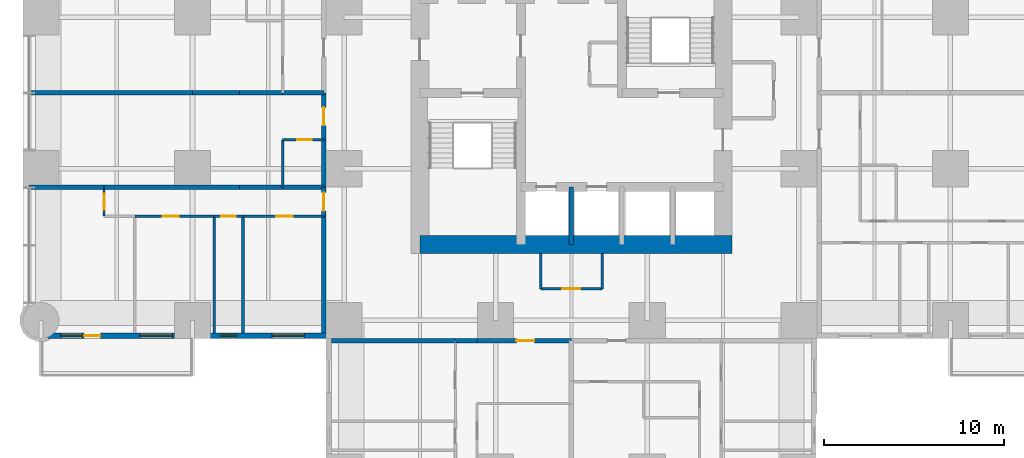
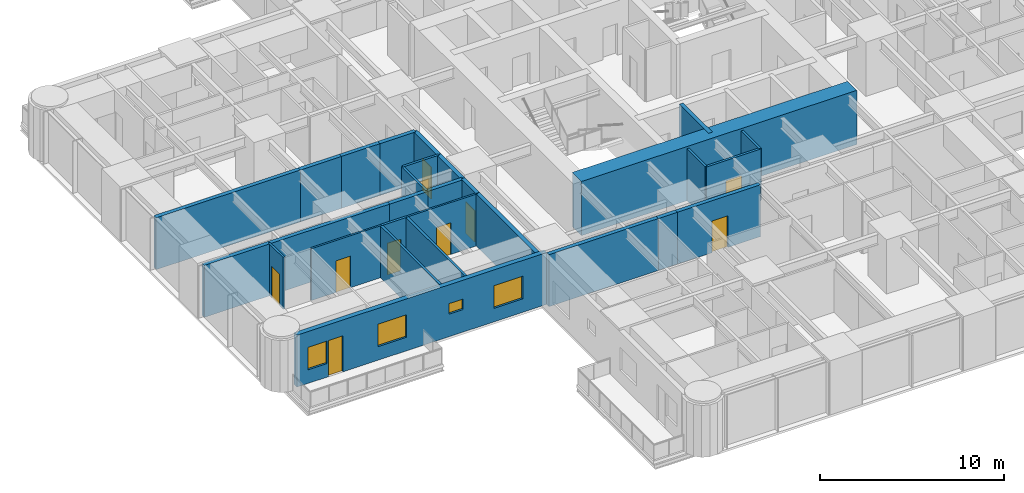
# One storey, part 8 of 17: 29 walls, 10 doors, 4 windows, 14 openings.
"""IFC4 building model written with IfcOpenShell, lengths in metres."""

from ifc_helpers import new_model, si_unit, direction, frame, frame_2d, origin, place, context, subcontext, project, spatial, rectangle, extrude, material, layer, layer_set, type_object, element, fill, save


model = new_model("IFC4")

# Units and contexts
model_context = context("Model", 3, precision=1e-05, world=origin(), true_north=direction((0.0, 1.0)))
body_context = subcontext(model_context, "Body", "Model", "MODEL_VIEW")
ifc_project = project(units=[si_unit("LENGTHUNIT", "METRE"), si_unit("AREAUNIT", "SQUARE_METRE"), si_unit("VOLUMEUNIT", "CUBIC_METRE"), si_unit("PLANEANGLEUNIT", "RADIAN"), si_unit("MASSUNIT", "GRAM", prefix="KILO")], contexts=[model_context])

# Site, building, storey
site_placement = place(None, origin())
site = spatial("IfcSite", under=ifc_project, at=site_placement, CompositionType="ELEMENT")
building_placement = place(site_placement, origin())
building = spatial("IfcBuilding", under=site, at=building_placement, Name="Torre Alcanfor", CompositionType="ELEMENT")
storey_placement = place(building_placement, frame((0.0, 0.0, 95.699951171875)))
storey = spatial("IfcBuildingStorey", under=building, at=storey_placement, Name="L24", CompositionType="ELEMENT", Elevation=95.699951171875)

# Wall, opening, door
ifc_material_1 = material(Name="Concrete block masonry, hollow blocks NMX-C-404 9 MPa", Category="masonry")
ifc_layer_1 = layer(ifc_material_1, 0.25)
ifc_layer_set_1 = layer_set([ifc_layer_1], Name="Apartment entrance wall 250 EI 60")
wall_type_1 = type_object("IfcWallType", Name="Apartment entrance wall 250 EI 60", PredefinedType="PARTITIONING", material=ifc_layer_set_1)
wall_1_placement = place(storey_placement, frame((29.39990234375, 15.675048828125, 0.0), z_axis=(0.0, 0.0, 1.0), x_axis=(-1.0, 0.0, 0.0)))
wall_1 = element("IfcWall", 1, at=wall_1_placement, inside=storey, type_object=wall_type_1, Name="Partition L24-CORR / L24-S2-ZAG", PredefinedType="PARTITIONING", context=body_context, shape_type="SweptSolid", body=[
    extrude(rectangle(XDim=5.22900390625, YDim=0.25, at=frame_2d((2.614501953125, 0.0))), origin(), (0.0, 0.0, 1.0), 3.449951171875),
])
opening_1_placement = place(wall_1_placement, frame((2.050048828125, 0.0, 0.0)))
opening_1 = element("IfcOpeningElement", 2, at=opening_1_placement, cuts=wall_1, Name="Opening D-A1", PredefinedType="OPENING", context=body_context, shape_type="SweptSolid", body=[
    extrude(rectangle(XDim=1.0, YDim=2.10009765625, at=frame_2d((0.5, 1.050048828125))), frame((0.0, 0.135009765625, 0.0), z_axis=(0.0, -1.0, 0.0), x_axis=(1.0, 0.0, 0.0)), (0.0, 0.0, 1.0), 0.27001953125),
])
ifc_material_2 = material(Name="Galvanised steel sheet ASTM A653", Category="steel")
door_type_1 = type_object("IfcDoorType", Name="Apartment entrance door FD60 1000x2100", OperationType="SINGLE_SWING_LEFT", PredefinedType="DOOR", material=ifc_material_2)
door_1_placement = place(opening_1_placement, origin())
door_1 = element("IfcDoor", 3, at=door_1_placement, inside=storey, type_object=door_type_1, Name="Apartment entrance L24-S2", OperationType="SINGLE_SWING_LEFT", OverallHeight=2.10009765625, OverallWidth=1.0, PredefinedType="DOOR", context=body_context, shape_type="SweptSolid", body=[
    extrude(rectangle(XDim=1.0, YDim=2.10009765625, at=frame_2d((0.5, 1.050048828125))), frame((0.0, 0.02490234375, 0.0), z_axis=(0.0, -1.0, 0.0), x_axis=(1.0, 0.0, 0.0)), (0.0, 0.0, 1.0), 0.050048828125),
])
fill(opening_1, door_1)

# Walls
wall_2_placement = place(storey_placement, frame((24.1708984375, 15.675048828125, 0.0), z_axis=(0.0, 0.0, 1.0), x_axis=(-1.0, 0.0, 0.0)))
element("IfcWall", 4, at=wall_2_placement, inside=storey, type_object=wall_type_1, Name="Partition L24-CORR / L24-S2-HALL", PredefinedType="PARTITIONING", context=body_context, shape_type="SweptSolid", body=[
    extrude(rectangle(XDim=1.199951171875, YDim=0.25, at=frame_2d((0.60009765625, 0.0))), origin(), (0.0, 0.0, 1.0), 3.449951171875),
])
wall_3_placement = place(storey_placement, frame((22.970947265625, 15.675048828125, 0.0), z_axis=(0.0, 0.0, 1.0), x_axis=(-1.0, 0.0, 0.0)))
element("IfcWall", 5, at=wall_3_placement, inside=storey, type_object=wall_type_1, Name="Partition L24-CORR / L24-S2-BED2", PredefinedType="PARTITIONING", context=body_context, shape_type="SweptSolid", body=[
    extrude(rectangle(XDim=6.870849609375, YDim=0.25, at=frame_2d((3.435546875, 0.0))), origin(), (0.0, 0.0, 1.0), 3.449951171875),
])

# Wall, opening, door
wall_4_placement = place(storey_placement, frame((15.675048828125, 26.800048828125, 0.0), z_axis=(0.0, 0.0, 1.0), x_axis=(0.0, 1.0, 0.0)))
wall_4 = element("IfcWall", 6, at=wall_4_placement, inside=storey, type_object=wall_type_1, Name="Partition L24-CORR / L24-W1A-FOYER", PredefinedType="PARTITIONING", context=body_context, shape_type="SweptSolid", body=[
    extrude(rectangle(XDim=2.599853515625, YDim=0.25, at=frame_2d((1.2998046875, 0.0))), origin(), (0.0, 0.0, 1.0), 3.449951171875),
])
opening_2_placement = place(wall_4_placement, frame((0.800048828125, 0.0, 0.0)))
opening_2 = element("IfcOpeningElement", 7, at=opening_2_placement, cuts=wall_4, Name="Opening D-A1", PredefinedType="OPENING", context=body_context, shape_type="SweptSolid", body=[
    extrude(rectangle(XDim=1.0, YDim=2.10009765625, at=frame_2d((0.5, 1.050048828125))), frame((0.0, 0.135009765625, 0.0), z_axis=(0.0, -1.0, 0.0), x_axis=(1.0, 0.0, 0.0)), (0.0, 0.0, 1.0), 0.27001953125),
])
door_2_placement = place(opening_2_placement, origin())
door_2 = element("IfcDoor", 8, at=door_2_placement, inside=storey, type_object=door_type_1, Name="Apartment entrance L24-W1A", OperationType="SINGLE_SWING_LEFT", OverallHeight=2.10009765625, OverallWidth=1.0, PredefinedType="DOOR", context=body_context, shape_type="SweptSolid", body=[
    extrude(rectangle(XDim=1.0, YDim=2.10009765625, at=frame_2d((0.5, 1.050048828125))), frame((0.0, 0.02490234375, 0.0), z_axis=(0.0, -1.0, 0.0), x_axis=(1.0, 0.0, 0.0)), (0.0, 0.0, 1.0), 0.050048828125),
])
fill(opening_2, door_2)

# Wall
wall_5_placement = place(storey_placement, frame((15.675048828125, 24.1708984375, 0.0), z_axis=(0.0, 0.0, 1.0), x_axis=(0.0, 1.0, 0.0)))
element("IfcWall", 9, at=wall_5_placement, inside=storey, type_object=wall_type_1, Name="Partition L24-CORR / L24-W1A-BATH", PredefinedType="PARTITIONING", context=body_context, shape_type="SweptSolid", body=[
    extrude(rectangle(XDim=2.629150390625, YDim=0.25, at=frame_2d((1.314453125, 0.0))), origin(), (0.0, 0.0, 1.0), 3.449951171875),
])

# Wall, opening, door
wall_6_placement = place(storey_placement, frame((15.675048828125, 22.571044921875, 0.0), z_axis=(0.0, 0.0, 1.0), x_axis=(0.0, 1.0, 0.0)))
wall_6 = element("IfcWall", 10, at=wall_6_placement, inside=storey, type_object=wall_type_1, Name="Partition L24-CORR / L24-W1B-HALL", PredefinedType="PARTITIONING", context=body_context, shape_type="SweptSolid", body=[
    extrude(rectangle(XDim=1.599853515625, YDim=0.25, at=frame_2d((0.7998046875, 0.0))), origin(), (0.0, 0.0, 1.0), 3.449951171875),
])
opening_3_placement = place(wall_6_placement, frame((0.300048828125, 0.0, 0.0)))
opening_3 = element("IfcOpeningElement", 11, at=opening_3_placement, cuts=wall_6, Name="Opening D-A1", PredefinedType="OPENING", context=body_context, shape_type="SweptSolid", body=[
    extrude(rectangle(XDim=1.0, YDim=2.10009765625, at=frame_2d((0.5, 1.050048828125))), frame((0.0, 0.135009765625, 0.0), z_axis=(0.0, -1.0, 0.0), x_axis=(1.0, 0.0, 0.0)), (0.0, 0.0, 1.0), 0.27001953125),
])
door_3_placement = place(opening_3_placement, origin())
door_3 = element("IfcDoor", 12, at=door_3_placement, inside=storey, type_object=door_type_1, Name="Apartment entrance L24-W1B", OperationType="SINGLE_SWING_LEFT", OverallHeight=2.10009765625, OverallWidth=1.0, PredefinedType="DOOR", context=body_context, shape_type="SweptSolid", body=[
    extrude(rectangle(XDim=1.0, YDim=2.10009765625, at=frame_2d((0.5, 1.050048828125))), frame((0.0, 0.02490234375, 0.0), z_axis=(0.0, -1.0, 0.0), x_axis=(1.0, 0.0, 0.0)), (0.0, 0.0, 1.0), 0.050048828125),
])
fill(opening_3, door_3)

# Wall
wall_7_placement = place(storey_placement, frame((15.675048828125, 16.10009765625, 0.0), z_axis=(0.0, 0.0, 1.0), x_axis=(0.0, 1.0, 0.0)))
element("IfcWall", 13, at=wall_7_placement, inside=storey, type_object=wall_type_1, Name="Partition L24-CORR / L24-W1B-MASTER", PredefinedType="PARTITIONING", context=body_context, shape_type="SweptSolid", body=[
    extrude(rectangle(XDim=6.470947265625, YDim=0.25, at=frame_2d((3.2353515625, 0.0))), origin(), (0.0, 0.0, 1.0), 3.449951171875),
])

# Wall, opening, door
ifc_material_3 = material(Name="Gypsum board on steel studs", Category="steel")
ifc_layer_2 = layer(ifc_material_3, 0.1201171875)
ifc_layer_set_2 = layer_set([ifc_layer_2], Name="Apartment partition 120")
wall_type_2 = type_object("IfcWallType", Name="Apartment partition 120", PredefinedType="PARTITIONING", material=ifc_layer_set_2)
wall_8_placement = place(storey_placement, frame((11.199951171875, 22.571044921875, 0.0), z_axis=(0.0, 0.0, 1.0), x_axis=(1.0, 0.0, 0.0)))
wall_8 = element("IfcWall", 14, at=wall_8_placement, inside=storey, type_object=wall_type_2, Name="Partition L24-W1B-HALL / L24-W1B-MASTER", PredefinedType="PARTITIONING", context=body_context, shape_type="SweptSolid", body=[
    extrude(rectangle(XDim=4.47509765625, YDim=0.1201171875, at=frame_2d((2.237548828125, 0.0))), origin(), (0.0, 0.0, 1.0), 3.449951171875),
])
opening_4_placement = place(wall_8_placement, frame((1.85009765625, 0.0, 0.0)))
opening_4 = element("IfcOpeningElement", 15, at=opening_4_placement, cuts=wall_8, Name="Opening D-R1", PredefinedType="OPENING", context=body_context, shape_type="SweptSolid", body=[
    extrude(rectangle(XDim=0.89990234375, YDim=2.10009765625, at=frame_2d((0.449951171875, 1.050048828125))), frame((0.0, 0.070068359375, 0.0), z_axis=(0.0, -1.0, 0.0), x_axis=(1.0, 0.0, 0.0)), (0.0, 0.0, 1.0), 0.14013671875),
])
ifc_material_4 = material(Name="Timber", Category="wood")
door_type_2 = type_object("IfcDoorType", Name="Internal door 900x2100", OperationType="SINGLE_SWING_LEFT", PredefinedType="DOOR", material=ifc_material_4)
door_4_placement = place(opening_4_placement, frame((0.89990234375, 0.0, 0.0), z_axis=(0.0, 0.0, 1.0), x_axis=(-1.0, 0.0, 0.0)))
door_4 = element("IfcDoor", 16, at=door_4_placement, inside=storey, type_object=door_type_2, Name="Door L24-W1B master", OperationType="SINGLE_SWING_LEFT", OverallHeight=2.10009765625, OverallWidth=0.89990234375, PredefinedType="DOOR", context=body_context, shape_type="SweptSolid", body=[
    extrude(rectangle(XDim=0.89990234375, YDim=2.10009765625, at=frame_2d((0.449951171875, 1.050048828125))), frame((0.0, 0.025146484375, 0.0), z_axis=(0.0, -1.0, 0.0), x_axis=(1.0, 0.0, 0.0)), (0.0, 0.0, 1.0), 0.050048828125),
])
fill(opening_4, door_4)

wall_9_placement = place(storey_placement, frame((5.199951171875, 22.571044921875, 0.0), z_axis=(0.0, 0.0, 1.0), x_axis=(1.0, 0.0, 0.0)))
wall_9 = element("IfcWall", 17, at=wall_9_placement, inside=storey, type_object=wall_type_2, Name="Partition L24-W1B-HALL / L24-W1B-STUDY", PredefinedType="PARTITIONING", context=body_context, shape_type="SweptSolid", body=[
    extrude(rectangle(XDim=4.400146484375, YDim=0.1201171875, at=frame_2d((2.2001953125, 0.0))), origin(), (0.0, 0.0, 1.0), 3.449951171875),
])
opening_5_placement = place(wall_9_placement, frame((1.550048828125, 0.0, 0.0)))
opening_5 = element("IfcOpeningElement", 18, at=opening_5_placement, cuts=wall_9, Name="Opening D-R1", PredefinedType="OPENING", context=body_context, shape_type="SweptSolid", body=[
    extrude(rectangle(XDim=0.89990234375, YDim=2.10009765625, at=frame_2d((0.449951171875, 1.050048828125))), frame((0.0, 0.070068359375, 0.0), z_axis=(0.0, -1.0, 0.0), x_axis=(1.0, 0.0, 0.0)), (0.0, 0.0, 1.0), 0.14013671875),
])
door_5_placement = place(opening_5_placement, frame((0.89990234375, 0.0, 0.0), z_axis=(0.0, 0.0, 1.0), x_axis=(-1.0, 0.0, 0.0)))
door_5 = element("IfcDoor", 19, at=door_5_placement, inside=storey, type_object=door_type_2, Name="Door L24-W1B study", OperationType="SINGLE_SWING_RIGHT", OverallHeight=2.10009765625, OverallWidth=0.89990234375, PredefinedType="DOOR", context=body_context, shape_type="SweptSolid", body=[
    extrude(rectangle(XDim=0.89990234375, YDim=2.10009765625, at=frame_2d((0.449951171875, 1.050048828125))), frame((0.0, 0.025146484375, 0.0), z_axis=(0.0, -1.0, 0.0), x_axis=(1.0, 0.0, 0.0)), (0.0, 0.0, 1.0), 0.050048828125),
])
fill(opening_5, door_5)

wall_10_placement = place(storey_placement, frame((3.5, 24.1708984375, 0.0), z_axis=(0.0, 0.0, 1.0), x_axis=(0.0, -1.0, 0.0)))
wall_10 = element("IfcWall", 20, at=wall_10_placement, inside=storey, type_object=wall_type_2, Name="Partition L24-W1B-HALL / L24-W1B-LIVING", PredefinedType="PARTITIONING", context=body_context, shape_type="SweptSolid", body=[
    extrude(rectangle(XDim=1.599853515625, YDim=0.1201171875, at=frame_2d((0.7998046875, 0.0))), origin(), (0.0, 0.0, 1.0), 3.449951171875),
])
opening_6_placement = place(wall_10_placement, frame((0.35009765625, 0.0, 0.0)))
opening_6 = element("IfcOpeningElement", 21, at=opening_6_placement, cuts=wall_10, Name="Opening D-R1", PredefinedType="OPENING", context=body_context, shape_type="SweptSolid", body=[
    extrude(rectangle(XDim=0.89990234375, YDim=2.10009765625, at=frame_2d((0.449951171875, 1.050048828125))), frame((0.0, 0.070068359375, 0.0), z_axis=(0.0, -1.0, 0.0), x_axis=(1.0, 0.0, 0.0)), (0.0, 0.0, 1.0), 0.14013671875),
])
door_6_placement = place(opening_6_placement, frame((0.89990234375, 0.0, 0.0), z_axis=(0.0, 0.0, 1.0), x_axis=(-1.0, 0.0, 0.0)))
door_6 = element("IfcDoor", 22, at=door_6_placement, inside=storey, type_object=door_type_2, Name="Door L24-W1B living", OperationType="SINGLE_SWING_RIGHT", OverallHeight=2.10009765625, OverallWidth=0.89990234375, PredefinedType="DOOR", context=body_context, shape_type="SweptSolid", body=[
    extrude(rectangle(XDim=0.89990234375, YDim=2.10009765625, at=frame_2d((0.449951171875, 1.050048828125))), frame((0.0, 0.025146484375, 0.0), z_axis=(0.0, -1.0, 0.0), x_axis=(1.0, 0.0, 0.0)), (0.0, 0.0, 1.0), 0.050048828125),
])
fill(opening_6, door_6)

# Walls
ifc_material_5 = material(Name="Concrete f'c 70 MPa", Category="concrete")
ifc_layer_3 = layer(ifc_material_5, 0.25)
ifc_layer_set_3 = layer_set([ifc_layer_3], Name="Core shaft wall 250 f'c70")
wall_type_3 = type_object("IfcWallType", Name="Core shaft wall 250 f'c70", PredefinedType="SHEAR", material=ifc_layer_set_3)
wall_11_placement = place(storey_placement, frame((29.39990234375, 21.0, 0.0), z_axis=(0.0, 0.0, 1.0), x_axis=(0.0, 1.0, 0.0)))
element("IfcWall", 23, at=wall_11_placement, inside=storey, type_object=wall_type_3, Name="Core wall X294S L24", PredefinedType="SHEAR", context=body_context, shape_type="SweptSolid", body=[
    extrude(rectangle(XDim=3.199951171875, YDim=0.25, at=frame_2d((1.60009765625, 0.0))), origin(), (0.0, 0.0, 1.0), 3.60009765625),
])
ifc_material_6 = material(Name="Concrete f'c 70 MPa", Category="concrete")
ifc_layer_4 = layer(ifc_material_6, 1.0)
ifc_layer_set_4 = layer_set([ifc_layer_4], Name="Core wall 1000 f'c70")
wall_type_4 = type_object("IfcWallType", Name="Core wall 1000 f'c70", PredefinedType="SHEAR", material=ifc_layer_set_4)
wall_12_placement = place(storey_placement, frame((21.0, 21.0, 0.0), z_axis=(0.0, 0.0, 1.0), x_axis=(1.0, 0.0, 0.0)))
element("IfcWall", 24, at=wall_12_placement, inside=storey, type_object=wall_type_4, Name="Core wall OUT-S L24", PredefinedType="SHEAR", context=body_context, shape_type="SweptSolid", body=[
    extrude(rectangle(XDim=17.300048828125, YDim=1.0, at=frame_2d((8.64990234375, 0.0))), origin(), (0.0, 0.0, 1.0), 3.60009765625),
])

# Wall, openings, door, windows
ifc_material_7 = material(Name="Limestone cladding", Category="masonry")
ifc_layer_5 = layer(ifc_material_7, 0.0400390625, Name="Facing")
ifc_material_8 = material(Name="Ventilated air cavity")
ifc_layer_6 = layer(ifc_material_8, 0.02001953125, ventilated=True, Name="Ventilated joint")
ifc_material_9 = material(Name="Mineral wool insulation", Category="insulation")
ifc_layer_7 = layer(ifc_material_9, 0.10009765625, Name="Insulation")
ifc_material_10 = material(Name="Concrete f'c 35 MPa", Category="concrete")
ifc_layer_8 = layer(ifc_material_10, 0.139892578125, Name="Backing")
ifc_layer_set_5 = layer_set([ifc_layer_5, ifc_layer_6, ifc_layer_7, ifc_layer_8], Name="External wall stone-clad 300")
wall_type_5 = type_object("IfcWallType", Name="External wall stone-clad 300", PredefinedType="SOLIDWALL", material=ifc_layer_set_5)
wall_13_placement = place(storey_placement, frame((0.39990234375, 15.949951171875, 0.0), z_axis=(0.0, 0.0, 1.0), x_axis=(1.0, 0.0, 0.0)))
wall_13 = element("IfcWall", 25, at=wall_13_placement, inside=storey, type_object=wall_type_5, Name="External wall L24 3", PredefinedType="SOLIDWALL", context=body_context, shape_type="SweptSolid", body=[
    extrude(rectangle(XDim=15.7001953125, YDim=0.300048828125, at=frame_2d((7.85009765625, 0.0))), origin(), (0.0, 0.0, 1.0), 3.449951171875),
])
opening_7_placement = place(wall_13_placement, frame((12.39990234375, 0.0, 0.89990234375)))
opening_7 = element("IfcOpeningElement", 26, at=opening_7_placement, cuts=wall_13, Name="Opening W2", PredefinedType="OPENING", context=body_context, shape_type="SweptSolid", body=[
    extrude(rectangle(XDim=1.800048828125, YDim=1.5, at=frame_2d((0.89990234375, 0.75))), frame((0.0, 0.159912109375, 0.0), z_axis=(0.0, -1.0, 0.0), x_axis=(1.0, 0.0, 0.0)), (0.0, 0.0, 1.0), 0.320068359375),
])
opening_8_placement = place(wall_13_placement, frame((9.550048828125, 0.0, 1.5)))
opening_8 = element("IfcOpeningElement", 27, at=opening_8_placement, cuts=wall_13, Name="Opening W3", PredefinedType="OPENING", context=body_context, shape_type="SweptSolid", body=[
    extrude(rectangle(XDim=0.89990234375, YDim=0.699951171875, at=frame_2d((0.449951171875, 0.35009765625))), frame((0.0, 0.159912109375, 0.0), z_axis=(0.0, -1.0, 0.0), x_axis=(1.0, 0.0, 0.0)), (0.0, 0.0, 1.0), 0.320068359375),
])
opening_9_placement = place(wall_13_placement, frame((5.10009765625, 0.0, 0.89990234375)))
opening_9 = element("IfcOpeningElement", 28, at=opening_9_placement, cuts=wall_13, Name="Opening W2", PredefinedType="OPENING", context=body_context, shape_type="SweptSolid", body=[
    extrude(rectangle(XDim=1.800048828125, YDim=1.5, at=frame_2d((0.89990234375, 0.75))), frame((0.0, 0.159912109375, 0.0), z_axis=(0.0, -1.0, 0.0), x_axis=(1.0, 0.0, 0.0)), (0.0, 0.0, 1.0), 0.320068359375),
])
opening_10_placement = place(wall_13_placement, frame((2.0, 0.0, 0.0)))
opening_10 = element("IfcOpeningElement", 29, at=opening_10_placement, cuts=wall_13, Name="Opening D-B1", PredefinedType="OPENING", context=body_context, shape_type="SweptSolid", body=[
    extrude(rectangle(XDim=0.89990234375, YDim=2.39990234375, at=frame_2d((0.449951171875, 1.199951171875))), frame((0.0, 0.159912109375, 0.0), z_axis=(0.0, -1.0, 0.0), x_axis=(1.0, 0.0, 0.0)), (0.0, 0.0, 1.0), 0.320068359375),
])
opening_11_placement = place(wall_13_placement, frame((0.699951171875, 0.0, 0.89990234375)))
opening_11 = element("IfcOpeningElement", 30, at=opening_11_placement, cuts=wall_13, Name="Opening W4", PredefinedType="OPENING", context=body_context, shape_type="SweptSolid", body=[
    extrude(rectangle(XDim=1.199951171875, YDim=1.5, at=frame_2d((0.60009765625, 0.75))), frame((0.0, 0.159912109375, 0.0), z_axis=(0.0, -1.0, 0.0), x_axis=(1.0, 0.0, 0.0)), (0.0, 0.0, 1.0), 0.320068359375),
])
ifc_material_11 = material(Name="Aluminium and glass", Category="aluminium")
door_type_3 = type_object("IfcDoorType", Name="Balcony door glazed 900x2400", OperationType="SINGLE_SWING_LEFT", PredefinedType="DOOR", material=ifc_material_11)
door_7_placement = place(opening_10_placement, origin())
door_7 = element("IfcDoor", 31, at=door_7_placement, inside=storey, type_object=door_type_3, Name="Balcony door L24-W1", OperationType="SINGLE_SWING_RIGHT", OverallHeight=2.39990234375, OverallWidth=0.89990234375, PredefinedType="DOOR", context=body_context, shape_type="SweptSolid", body=[
    extrude(rectangle(XDim=0.89990234375, YDim=2.39990234375, at=frame_2d((0.449951171875, 1.199951171875))), frame((0.0, 0.02490234375, 0.0), z_axis=(0.0, -1.0, 0.0), x_axis=(1.0, 0.0, 0.0)), (0.0, 0.0, 1.0), 0.050048828125),
])
fill(opening_10, door_7)
ifc_material_12 = material(Name="Aluminium frame with clear double glazing", Category="aluminium")
window_type_1 = type_object("IfcWindowType", Name="Window bathroom 900x700", PartitioningType="SINGLE_PANEL", PredefinedType="WINDOW", material=ifc_material_12)
window_1_placement = place(opening_8_placement, origin())
window_1 = element("IfcWindow", 32, at=window_1_placement, inside=storey, type_object=window_type_1, Name="Window W3 L24-W1", OverallHeight=0.699951171875, OverallWidth=0.89990234375, PartitioningType="SINGLE_PANEL", PredefinedType="WINDOW", context=body_context, shape_type="SweptSolid", body=[
    extrude(rectangle(XDim=0.89990234375, YDim=0.699951171875, at=frame_2d((0.449951171875, 0.35009765625))), frame((0.0, 0.030029296875, 0.0), z_axis=(0.0, -1.0, 0.0), x_axis=(1.0, 0.0, 0.0)), (0.0, 0.0, 1.0), 0.06005859375),
])
fill(opening_8, window_1)
ifc_material_13 = material(Name="Aluminium frame with clear double glazing", Category="aluminium")
window_type_2 = type_object("IfcWindowType", Name="Window bedroom 1200x1500", PartitioningType="SINGLE_PANEL", PredefinedType="WINDOW", material=ifc_material_13)
window_2_placement = place(opening_11_placement, origin())
window_2 = element("IfcWindow", 33, at=window_2_placement, inside=storey, type_object=window_type_2, Name="Window W4 L24-W1", OverallHeight=1.5, OverallWidth=1.199951171875, PartitioningType="SINGLE_PANEL", PredefinedType="WINDOW", context=body_context, shape_type="SweptSolid", body=[
    extrude(rectangle(XDim=1.199951171875, YDim=1.5, at=frame_2d((0.60009765625, 0.75))), frame((0.0, 0.030029296875, 0.0), z_axis=(0.0, -1.0, 0.0), x_axis=(1.0, 0.0, 0.0)), (0.0, 0.0, 1.0), 0.06005859375),
])
fill(opening_11, window_2)
ifc_material_14 = material(Name="Aluminium frame with clear double glazing", Category="aluminium")
window_type_3 = type_object("IfcWindowType", Name="Window bedroom 1800x1500", PartitioningType="SINGLE_PANEL", PredefinedType="WINDOW", material=ifc_material_14)
window_3_placement = place(opening_7_placement, origin())
window_3 = element("IfcWindow", 34, at=window_3_placement, inside=storey, type_object=window_type_3, Name="Window W2 L24-W1", OverallHeight=1.5, OverallWidth=1.800048828125, PartitioningType="SINGLE_PANEL", PredefinedType="WINDOW", context=body_context, shape_type="SweptSolid", body=[
    extrude(rectangle(XDim=1.800048828125, YDim=1.5, at=frame_2d((0.89990234375, 0.75))), frame((0.0, 0.030029296875, 0.0), z_axis=(0.0, -1.0, 0.0), x_axis=(1.0, 0.0, 0.0)), (0.0, 0.0, 1.0), 0.06005859375),
])
fill(opening_7, window_3)
window_4_placement = place(opening_9_placement, origin())
window_4 = element("IfcWindow", 35, at=window_4_placement, inside=storey, type_object=window_type_3, Name="Window W2 L24-W1", OverallHeight=1.5, OverallWidth=1.800048828125, PartitioningType="SINGLE_PANEL", PredefinedType="WINDOW", context=body_context, shape_type="SweptSolid", body=[
    extrude(rectangle(XDim=1.800048828125, YDim=1.5, at=frame_2d((0.89990234375, 0.75))), frame((0.0, 0.030029296875, 0.0), z_axis=(0.0, -1.0, 0.0), x_axis=(1.0, 0.0, 0.0)), (0.0, 0.0, 1.0), 0.06005859375),
])
fill(opening_9, window_4)

# Walls
ifc_material_15 = material(Name="Concrete block masonry, hollow blocks NMX-C-404 9 MPa", Category="masonry")
ifc_layer_9 = layer(ifc_material_15, 0.25)
ifc_layer_set_6 = layer_set([ifc_layer_9], Name="Party wall 250 EI 60")
wall_type_6 = type_object("IfcWallType", Name="Party wall 250 EI 60", PredefinedType="PARTITIONING", material=ifc_layer_set_6)
for number, where, z_axis, x_axis, name in (
    (36, (15.675048828125, 29.39990234375, 0.0), (0.0, 0.0, 1.0), (-1.0, 0.0, 0.0), "Partition L24-W1A-FOYER / L24-W2-ZAG"),
    (37, (13.39990234375, 24.1708984375, 0.0), (0.0, 0.0, 1.0), (1.0, 0.0, 0.0), "Partition L24-W1A-BATH / L24-W1B-HALL"),
):
    element("IfcWall", number, at=place(storey_placement, frame(where, z_axis=z_axis, x_axis=x_axis)), inside=storey, type_object=wall_type_6, Name=name, PredefinedType="PARTITIONING", context=body_context, shape_type="SweptSolid", body=[
        extrude(rectangle(XDim=2.275146484375, YDim=0.25, at=frame_2d((1.1376953125, 0.0))), origin(), (0.0, 0.0, 1.0), 3.449951171875),
    ])
for number, where, z_axis, x_axis, name in (
    (38, (11.0, 24.1708984375, 0.0), (0.0, 0.0, 1.0), (1.0, 0.0, 0.0), "Partition L24-W1A-KITCHEN / L24-W1B-HALL"),
    (39, (13.39990234375, 29.39990234375, 0.0), (0.0, 0.0, 1.0), (-1.0, 0.0, 0.0), "Partition L24-W1A-KITCHEN / L24-W2-KITCHEN"),
):
    element("IfcWall", number, at=place(storey_placement, frame(where, z_axis=z_axis, x_axis=x_axis)), inside=storey, type_object=wall_type_6, Name=name, PredefinedType="PARTITIONING", context=body_context, shape_type="SweptSolid", body=[
        extrude(rectangle(XDim=2.39990234375, YDim=0.25, at=frame_2d((1.199951171875, 0.0))), origin(), (0.0, 0.0, 1.0), 3.449951171875),
    ])
wall_14_placement = place(storey_placement, frame((3.5, 24.1708984375, 0.0), z_axis=(0.0, 0.0, 1.0), x_axis=(1.0, 0.0, 0.0)))
element("IfcWall", 40, at=wall_14_placement, inside=storey, type_object=wall_type_6, Name="Partition L24-W1A-STUDIO / L24-W1B-HALL", PredefinedType="PARTITIONING", context=body_context, shape_type="SweptSolid", body=[
    extrude(rectangle(XDim=7.5, YDim=0.25, at=frame_2d((3.75, 0.0))), origin(), (0.0, 0.0, 1.0), 3.449951171875),
])
wall_15_placement = place(storey_placement, frame((-0.64990234375, 24.1708984375, 0.0), z_axis=(0.0, 0.0, 1.0), x_axis=(1.0, 0.0, 0.0)))
element("IfcWall", 41, at=wall_15_placement, inside=storey, type_object=wall_type_6, Name="Partition L24-W1A-STUDIO / L24-W1B-LIVING", PredefinedType="PARTITIONING", context=body_context, shape_type="SweptSolid", body=[
    extrude(rectangle(XDim=4.14990234375, YDim=0.25, at=frame_2d((2.074951171875, 0.0))), origin(), (0.0, 0.0, 1.0), 3.449951171875),
])
wall_16_placement = place(storey_placement, frame((11.0, 29.39990234375, 0.0), z_axis=(0.0, 0.0, 1.0), x_axis=(-1.0, 0.0, 0.0)))
element("IfcWall", 42, at=wall_16_placement, inside=storey, type_object=wall_type_6, Name="Partition L24-W1A-STUDIO / L24-W2-KITCHEN", PredefinedType="PARTITIONING", context=body_context, shape_type="SweptSolid", body=[
    extrude(rectangle(XDim=2.60009765625, YDim=0.25, at=frame_2d((1.300048828125, 0.0))), origin(), (0.0, 0.0, 1.0), 3.449951171875),
])
wall_17_placement = place(storey_placement, frame((8.39990234375, 29.39990234375, 0.0), z_axis=(0.0, 0.0, 1.0), x_axis=(-1.0, 0.0, 0.0)))
element("IfcWall", 43, at=wall_17_placement, inside=storey, type_object=wall_type_6, Name="Partition L24-W1A-STUDIO / L24-W2-LIVING", PredefinedType="PARTITIONING", context=body_context, shape_type="SweptSolid", body=[
    extrude(rectangle(XDim=9.0498046875, YDim=0.25, at=frame_2d((4.52490234375, 0.0))), origin(), (0.0, 0.0, 1.0), 3.449951171875),
])
ifc_material_16 = material(Name="Concrete block masonry, hollow blocks NMX-C-404 9 MPa", Category="masonry")
ifc_layer_10 = layer(ifc_material_16, 0.14990234375)
ifc_layer_set_7 = layer_set([ifc_layer_10], Name="Residents' room partition 150")
wall_type_7 = type_object("IfcWallType", Name="Residents' room partition 150", PredefinedType="PARTITIONING", material=ifc_layer_set_7)
wall_18_placement = place(storey_placement, frame((27.699951171875, 20.5, 0.0), z_axis=(0.0, 0.0, 1.0), x_axis=(0.0, -1.0, 0.0)))
element("IfcWall", 44, at=wall_18_placement, inside=storey, type_object=wall_type_7, Name="Partition L24-CORR / L24-G05", PredefinedType="PARTITIONING", context=body_context, shape_type="SweptSolid", body=[
    extrude(rectangle(XDim=1.949951171875, YDim=0.14990234375, at=frame_2d((0.97509765625, 0.0))), origin(), (0.0, 0.0, 1.0), 3.449951171875),
])

# Wall, opening, door
wall_19_placement = place(storey_placement, frame((27.699951171875, 18.550048828125, 0.0), z_axis=(0.0, 0.0, 1.0), x_axis=(1.0, 0.0, 0.0)))
wall_19 = element("IfcWall", 45, at=wall_19_placement, inside=storey, type_object=wall_type_7, Name="Partition L24-CORR / L24-G05", PredefinedType="PARTITIONING", context=body_context, shape_type="SweptSolid", body=[
    extrude(rectangle(XDim=3.400146484375, YDim=0.14990234375, at=frame_2d((1.7001953125, 0.0))), origin(), (0.0, 0.0, 1.0), 3.449951171875),
])
opening_12_placement = place(wall_19_placement, frame((1.199951171875, 0.0, 0.0)))
opening_12 = element("IfcOpeningElement", 46, at=opening_12_placement, cuts=wall_19, Name="Opening D-M1", PredefinedType="OPENING", context=body_context, shape_type="SweptSolid", body=[
    extrude(rectangle(XDim=1.0, YDim=2.10009765625, at=frame_2d((0.5, 1.050048828125))), frame((0.0, 0.0849609375, 0.0), z_axis=(0.0, -1.0, 0.0), x_axis=(1.0, 0.0, 0.0)), (0.0, 0.0, 1.0), 0.169921875),
])
ifc_material_17 = material(Name="Timber", Category="wood")
door_type_4 = type_object("IfcDoorType", Name="Residents' room door 1000x2100", OperationType="SINGLE_SWING_LEFT", PredefinedType="DOOR", material=ifc_material_17)
door_8_placement = place(opening_12_placement, origin())
door_8 = element("IfcDoor", 47, at=door_8_placement, inside=storey, type_object=door_type_4, Name="Door L24-G05 cleaners' store", OperationType="SINGLE_SWING_LEFT", OverallHeight=2.10009765625, OverallWidth=1.0, PredefinedType="DOOR", context=body_context, shape_type="SweptSolid", body=[
    extrude(rectangle(XDim=1.0, YDim=2.10009765625, at=frame_2d((0.5, 1.050048828125))), frame((0.0, 0.02490234375, 0.0), z_axis=(0.0, -1.0, 0.0), x_axis=(1.0, 0.0, 0.0)), (0.0, 0.0, 1.0), 0.050048828125),
])
fill(opening_12, door_8)

# Wall
wall_20_placement = place(storey_placement, frame((31.10009765625, 18.550048828125, 0.0), z_axis=(0.0, 0.0, 1.0), x_axis=(0.0, 1.0, 0.0)))
element("IfcWall", 48, at=wall_20_placement, inside=storey, type_object=wall_type_7, Name="Partition L24-CORR / L24-G05", PredefinedType="PARTITIONING", context=body_context, shape_type="SweptSolid", body=[
    extrude(rectangle(XDim=1.949951171875, YDim=0.14990234375, at=frame_2d((0.97509765625, 0.0))), origin(), (0.0, 0.0, 1.0), 3.449951171875),
])

# Wall, opening, door
ifc_material_18 = material(Name="Cement board on steel studs", Category="steel")
ifc_layer_11 = layer(ifc_material_18, 0.14990234375)
ifc_layer_set_8 = layer_set([ifc_layer_11], Name="Wet area partition 150")
wall_type_8 = type_object("IfcWallType", Name="Wet area partition 150", PredefinedType="PARTITIONING", material=ifc_layer_set_8)
wall_21_placement = place(storey_placement, frame((13.39990234375, 26.800048828125, 0.0), z_axis=(0.0, 0.0, 1.0), x_axis=(1.0, 0.0, 0.0)))
wall_21 = element("IfcWall", 49, at=wall_21_placement, inside=storey, type_object=wall_type_8, Name="Partition L24-W1A-FOYER / L24-W1A-BATH", PredefinedType="PARTITIONING", context=body_context, shape_type="SweptSolid", body=[
    extrude(rectangle(XDim=2.275146484375, YDim=0.14990234375, at=frame_2d((1.1376953125, 0.0))), origin(), (0.0, 0.0, 1.0), 3.449951171875),
])
opening_13_placement = place(wall_21_placement, frame((0.800048828125, 0.0, 0.0)))
opening_13 = element("IfcOpeningElement", 50, at=opening_13_placement, cuts=wall_21, Name="Opening D-R2", PredefinedType="OPENING", context=body_context, shape_type="SweptSolid", body=[
    extrude(rectangle(XDim=0.800048828125, YDim=2.10009765625, at=frame_2d((0.39990234375, 1.050048828125))), frame((0.0, 0.0849609375, 0.0), z_axis=(0.0, -1.0, 0.0), x_axis=(1.0, 0.0, 0.0)), (0.0, 0.0, 1.0), 0.169921875),
])
ifc_material_19 = material(Name="Timber", Category="wood")
door_type_5 = type_object("IfcDoorType", Name="Bathroom door 800x2100", OperationType="SINGLE_SWING_LEFT", PredefinedType="DOOR", material=ifc_material_19)
door_9_placement = place(opening_13_placement, frame((0.800048828125, 0.0, 0.0), z_axis=(0.0, 0.0, 1.0), x_axis=(-1.0, 0.0, 0.0)))
door_9 = element("IfcDoor", 51, at=door_9_placement, inside=storey, type_object=door_type_5, Name="Door L24-W1A bath", OperationType="SINGLE_SWING_LEFT", OverallHeight=2.10009765625, OverallWidth=0.800048828125, PredefinedType="DOOR", context=body_context, shape_type="SweptSolid", body=[
    extrude(rectangle(XDim=0.800048828125, YDim=2.10009765625, at=frame_2d((0.400146484375, 1.050048828125))), frame((0.0, 0.025146484375, 0.0), z_axis=(0.0, -1.0, 0.0), x_axis=(1.0, 0.0, 0.0)), (0.0, 0.0, 1.0), 0.050048828125),
])
fill(opening_13, door_9)

# Wall
wall_22_placement = place(storey_placement, frame((13.39990234375, 26.800048828125, 0.0), z_axis=(0.0, 0.0, 1.0), x_axis=(0.0, -1.0, 0.0)))
element("IfcWall", 52, at=wall_22_placement, inside=storey, type_object=wall_type_8, Name="Partition L24-W1A-BATH / L24-W1A-KITCHEN", PredefinedType="PARTITIONING", context=body_context, shape_type="SweptSolid", body=[
    extrude(rectangle(XDim=2.629150390625, YDim=0.14990234375, at=frame_2d((1.314453125, 0.0))), origin(), (0.0, 0.0, 1.0), 3.449951171875),
])

# Wall, opening, door
wall_23_placement = place(storey_placement, frame((9.60009765625, 22.571044921875, 0.0), z_axis=(0.0, 0.0, 1.0), x_axis=(1.0, 0.0, 0.0)))
wall_23 = element("IfcWall", 53, at=wall_23_placement, inside=storey, type_object=wall_type_8, Name="Partition L24-W1B-HALL / L24-W1B-BATH", PredefinedType="PARTITIONING", context=body_context, shape_type="SweptSolid", body=[
    extrude(rectangle(XDim=1.599853515625, YDim=0.14990234375, at=frame_2d((0.7998046875, 0.0))), origin(), (0.0, 0.0, 1.0), 3.449951171875),
])
opening_14_placement = place(wall_23_placement, frame((0.39990234375, 0.0, 0.0)))
opening_14 = element("IfcOpeningElement", 54, at=opening_14_placement, cuts=wall_23, Name="Opening D-R2", PredefinedType="OPENING", context=body_context, shape_type="SweptSolid", body=[
    extrude(rectangle(XDim=0.800048828125, YDim=2.10009765625, at=frame_2d((0.39990234375, 1.050048828125))), frame((0.0, 0.0849609375, 0.0), z_axis=(0.0, -1.0, 0.0), x_axis=(1.0, 0.0, 0.0)), (0.0, 0.0, 1.0), 0.169921875),
])
door_10_placement = place(opening_14_placement, frame((0.800048828125, 0.0, 0.0), z_axis=(0.0, 0.0, 1.0), x_axis=(-1.0, 0.0, 0.0)))
door_10 = element("IfcDoor", 55, at=door_10_placement, inside=storey, type_object=door_type_5, Name="Door L24-W1B bath", OperationType="SINGLE_SWING_RIGHT", OverallHeight=2.10009765625, OverallWidth=0.800048828125, PredefinedType="DOOR", context=body_context, shape_type="SweptSolid", body=[
    extrude(rectangle(XDim=0.800048828125, YDim=2.10009765625, at=frame_2d((0.400146484375, 1.050048828125))), frame((0.0, 0.025146484375, 0.0), z_axis=(0.0, -1.0, 0.0), x_axis=(1.0, 0.0, 0.0)), (0.0, 0.0, 1.0), 0.050048828125),
])
fill(opening_14, door_10)

# Walls
for number, where, z_axis, x_axis, name in (
    (56, (11.199951171875, 22.571044921875, 0.0), (0.0, 0.0, 1.0), (0.0, -1.0, 0.0), "Partition L24-W1B-MASTER / L24-W1B-BATH"),
    (57, (9.60009765625, 22.571044921875, 0.0), (0.0, 0.0, 1.0), (0.0, -1.0, 0.0), "Partition L24-W1B-BATH / L24-W1B-STUDY"),
):
    element("IfcWall", number, at=place(storey_placement, frame(where, z_axis=z_axis, x_axis=x_axis)), inside=storey, type_object=wall_type_8, Name=name, PredefinedType="PARTITIONING", context=body_context, shape_type="SweptSolid", body=[
        extrude(rectangle(XDim=6.470947265625, YDim=0.14990234375, at=frame_2d((3.2353515625, 0.0))), origin(), (0.0, 0.0, 1.0), 3.449951171875),
    ])

save(model, "model.ifc")
